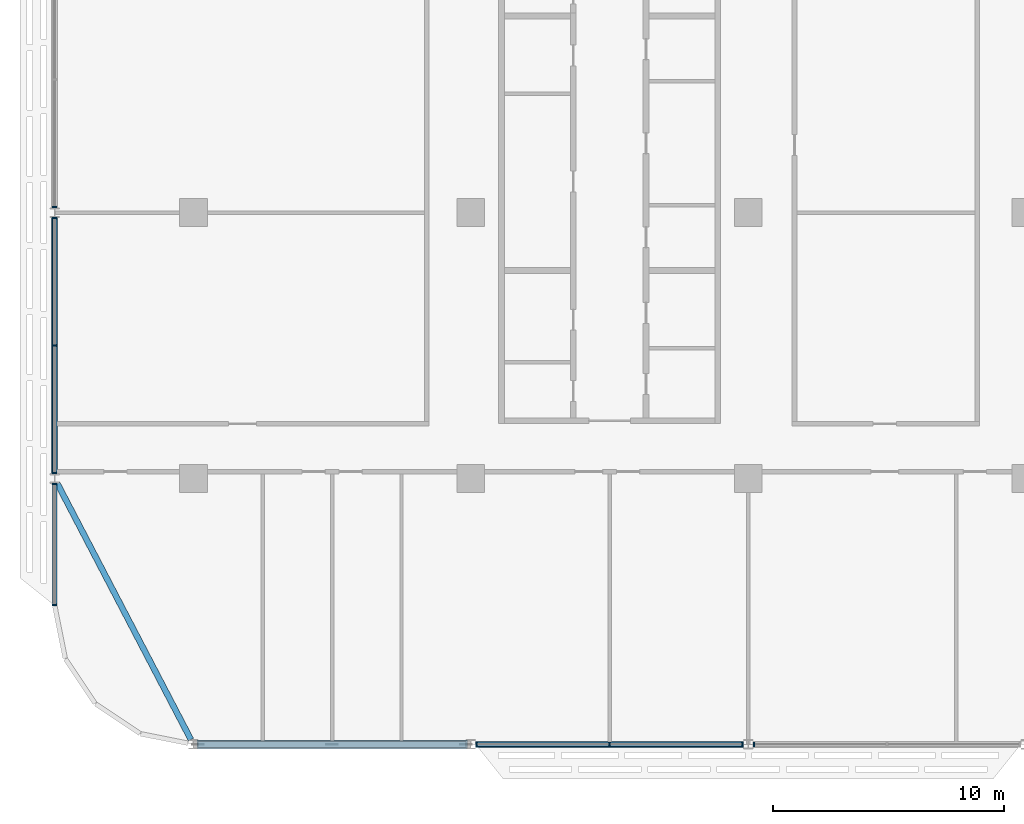
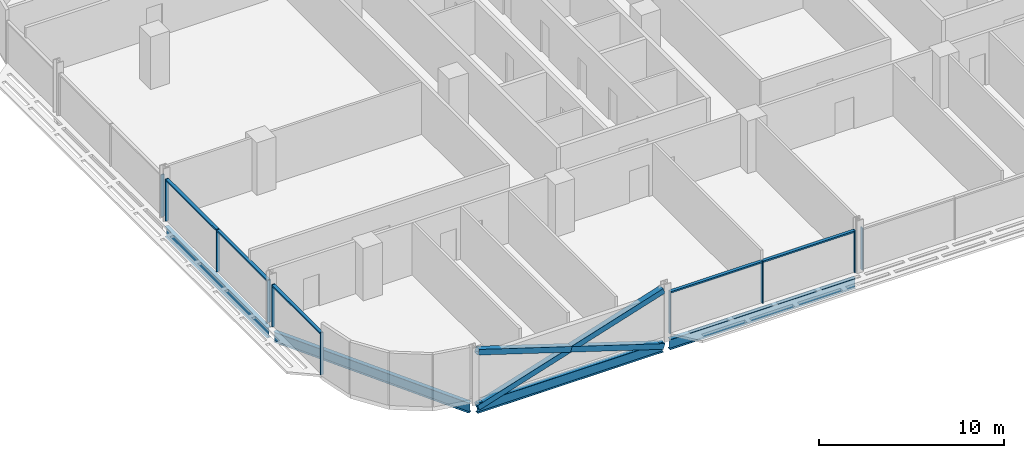
# One storey, part 3 of 27: 18 members, 4 beams, 5 elements without a shape of their own.
"""IFC4 building model written with IfcOpenShell, lengths in metres."""

from ifc_helpers import new_model, si_unit, direction, frame, origin, origin_2d, place, context, subcontext, project, spatial, rectangle, hollow_rectangle, i_section, extrude, material, material_profile, profile_set, type_object, element, aggregate, save


model = new_model("IFC4")

# Units and contexts
model_context = context("Model", 3, precision=1e-05, world=origin(), true_north=direction((0.0, 1.0)))
body_context = subcontext(model_context, "Body", "Model", "MODEL_VIEW")
ifc_project = project(units=[si_unit("LENGTHUNIT", "METRE"), si_unit("AREAUNIT", "SQUARE_METRE"), si_unit("VOLUMEUNIT", "CUBIC_METRE"), si_unit("PLANEANGLEUNIT", "RADIAN"), si_unit("MASSUNIT", "GRAM", prefix="KILO")], contexts=[model_context])

# Site, building, storey
site_placement = place(None, origin())
site = spatial("IfcSite", under=ifc_project, at=site_placement, CompositionType="ELEMENT")
building_placement = place(site_placement, origin())
building = spatial("IfcBuilding", under=site, at=building_placement, Name="Mahtab Terrace Research Tower", CompositionType="ELEMENT")
storey_placement = place(building_placement, frame((0.0, 0.0, 178.199951171875)))
storey = spatial("IfcBuildingStorey", under=building, at=storey_placement, Name="L42", CompositionType="ELEMENT", Elevation=178.199951171875)

# Members
ifc_material_1 = material(Name="Steel ASTM A500 Gr C", Category="steel")
ifc_material_profile_1 = material_profile(ifc_material_1, hollow_rectangle(XDim=0.355712890625, YDim=0.355712890625, WallThickness=0.015869140625, at=origin_2d()), Name="HSS14X14X5/8")
ifc_profile_set_1 = profile_set([ifc_material_profile_1], Name="Steel ASTM A500 Gr C")
member_type_1 = type_object("IfcMemberType", Name="HSS 14x14x5/8 brace XB141458", PredefinedType="BRACE", material=ifc_profile_set_1)
member_1_placement = place(storey_placement, frame((-41.796875, -23.0, -0.61474609375), z_axis=(0.953341454971, 0.0, 0.301894137463), x_axis=(0.0, 1.0, 0.0)))
element("IfcMember", 1, at=member_1_placement, inside=storey, type_object=member_type_1, Name="Exoskeleton brace L42 12 a", PredefinedType="BRACE", context=body_context, shape_type="SweptSolid", body=[
    extrude(hollow_rectangle(XDim=0.355712890625, YDim=0.355712890625, WallThickness=0.015869140625, at=origin_2d()), origin(), (0.0, 0.0, 1.0), 12.1611328125),
])
for number, where, z_axis, x_axis, name in (
    (2, (-30.203125, -23.0, -0.61474609375), (-0.953341454971, 0.0, 0.301894137463), (0.0, -1.0, 0.0), "Exoskeleton brace L42 12 b1"),
    (3, (-36.0, -23.0, 1.220947265625), (-0.953341454971, 0.0, 0.301894137463), (0.0, -1.0, 0.0), "Exoskeleton brace L42 12 b2"),
):
    element("IfcMember", number, at=place(storey_placement, frame(where, z_axis=z_axis, x_axis=x_axis)), inside=storey, type_object=member_type_1, Name=name, PredefinedType="BRACE", context=body_context, shape_type="SweptSolid", body=[
        extrude(hollow_rectangle(XDim=0.355712890625, YDim=0.355712890625, WallThickness=0.015869140625, at=origin_2d()), origin(), (0.0, 0.0, 1.0), 6.08056640625),
    ])

# Curtain wall, member
ifc_material_2 = material(Name="Laboratory ribbon curtain wall")
curtain_wall_type = type_object("IfcCurtainWallType", Name="Laboratory ribbon curtain wall", PredefinedType="NOTDEFINED", material=ifc_material_2)
curtain_wall_1_placement = place(storey_placement, origin())
curtain_wall_1 = element("IfcCurtainWall", 4, at=curtain_wall_1_placement, inside=storey, type_object=curtain_wall_type, Name="EN.L42.8.16", PredefinedType="NOTDEFINED")
ifc_material_3 = material(Name="Natural anodised aluminium", Category="aluminium")
ifc_material_profile_2 = material_profile(ifc_material_3, rectangle(XDim=0.199951171875, YDim=0.06494140625, at=origin_2d()), Name="MULLION 65x200")
ifc_profile_set_2 = profile_set([ifc_material_profile_2], Name="Natural anodised aluminium")
member_type_2 = type_object("IfcMemberType", Name="Laboratory ribbon curtain wall mullion", PredefinedType="MULLION", material=ifc_profile_set_2)
member_2_placement = place(storey_placement, frame((-48.0, 0.240478515625, 0.0), z_axis=(0.0, 0.0, 1.0), x_axis=(1.0, 0.0, 0.0)))
member_2 = element("IfcMember", 5, at=member_2_placement, type_object=member_type_2, Name="CWL-5 mullion 3", PredefinedType="MULLION", context=body_context, shape_type="SweptSolid", body=[
    extrude(rectangle(XDim=0.199951171875, YDim=0.06494140625, at=origin_2d()), origin(), (0.0, 0.0, 1.0), 2.78173828125),
])
aggregate(curtain_wall_1, [member_2])

# Curtain wall, members
curtain_wall_2_placement = place(storey_placement, origin())
curtain_wall_2 = element("IfcCurtainWall", 6, at=curtain_wall_2_placement, inside=storey, type_object=curtain_wall_type, Name="EN.L42.8.17", PredefinedType="NOTDEFINED")
member_3_placement = place(storey_placement, frame((-48.0, -0.240478515625, 0.0), z_axis=(0.0, 0.0, 1.0), x_axis=(1.0, 0.0, 0.0)))
member_3 = element("IfcMember", 7, at=member_3_placement, type_object=member_type_2, Name="CWL-5 mullion 1", PredefinedType="MULLION", context=body_context, shape_type="SweptSolid", body=[
    extrude(rectangle(XDim=0.199951171875, YDim=0.06494140625, at=origin_2d()), origin(), (0.0, 0.0, 1.0), 2.78173828125),
])
member_4_placement = place(storey_placement, frame((-48.0, -5.75, 0.0), z_axis=(0.0, 0.0, 1.0), x_axis=(1.0, 0.0, 0.0)))
member_4 = element("IfcMember", 8, at=member_4_placement, type_object=member_type_2, Name="CWL-5 mullion 2", PredefinedType="MULLION", context=body_context, shape_type="SweptSolid", body=[
    extrude(rectangle(XDim=0.199951171875, YDim=0.06494140625, at=origin_2d()), origin(), (0.0, 0.0, 1.0), 2.78173828125),
])
member_5_placement = place(storey_placement, frame((-48.0, -11.259521484375, 0.0), z_axis=(0.0, 0.0, 1.0), x_axis=(1.0, 0.0, 0.0)))
member_5 = element("IfcMember", 9, at=member_5_placement, type_object=member_type_2, Name="CWL-5 mullion 3", PredefinedType="MULLION", context=body_context, shape_type="SweptSolid", body=[
    extrude(rectangle(XDim=0.199951171875, YDim=0.06494140625, at=origin_2d()), origin(), (0.0, 0.0, 1.0), 2.78173828125),
])

curtain_wall_3_placement = place(storey_placement, origin())
curtain_wall_3 = element("IfcCurtainWall", 10, at=curtain_wall_3_placement, inside=storey, type_object=curtain_wall_type, Name="EN.L42.8.18", PredefinedType="NOTDEFINED")
member_6_placement = place(storey_placement, frame((-48.0, -11.740478515625, 0.0), z_axis=(0.0, 0.0, 1.0), x_axis=(1.0, 0.0, 0.0)))
member_6 = element("IfcMember", 11, at=member_6_placement, type_object=member_type_2, Name="CWL-5 mullion 1", PredefinedType="MULLION", context=body_context, shape_type="SweptSolid", body=[
    extrude(rectangle(XDim=0.199951171875, YDim=0.06494140625, at=origin_2d()), origin(), (0.0, 0.0, 1.0), 2.78173828125),
])
member_7_placement = place(storey_placement, frame((-48.0, -16.967529296875, 0.0), z_axis=(0.0, 0.0, 1.0), x_axis=(1.0, 0.0, 0.0)))
member_7 = element("IfcMember", 12, at=member_7_placement, type_object=member_type_2, Name="CWL-5 mullion 2", PredefinedType="MULLION", context=body_context, shape_type="SweptSolid", body=[
    extrude(rectangle(XDim=0.199951171875, YDim=0.06494140625, at=origin_2d()), origin(), (0.0, 0.0, 1.0), 2.78173828125),
])

curtain_wall_4_placement = place(storey_placement, origin())
curtain_wall_4 = element("IfcCurtainWall", 13, at=curtain_wall_4_placement, inside=storey, type_object=curtain_wall_type, Name="EN.L42.13.24", PredefinedType="NOTDEFINED")
member_8_placement = place(storey_placement, frame((-29.759521484375, -23.0, 0.0), z_axis=(0.0, 0.0, 1.0), x_axis=(0.0, 1.0, 0.0)))
member_8 = element("IfcMember", 14, at=member_8_placement, type_object=member_type_2, Name="CWL-5 mullion 1", PredefinedType="MULLION", context=body_context, shape_type="SweptSolid", body=[
    extrude(rectangle(XDim=0.199951171875, YDim=0.06494140625, at=origin_2d()), origin(), (0.0, 0.0, 1.0), 2.78173828125),
])
member_9_placement = place(storey_placement, frame((-24.0, -23.0, 0.0), z_axis=(0.0, 0.0, 1.0), x_axis=(0.0, 1.0, 0.0)))
member_9 = element("IfcMember", 15, at=member_9_placement, type_object=member_type_2, Name="CWL-5 mullion 2", PredefinedType="MULLION", context=body_context, shape_type="SweptSolid", body=[
    extrude(rectangle(XDim=0.199951171875, YDim=0.06494140625, at=origin_2d()), origin(), (0.0, 0.0, 1.0), 2.78173828125),
])
member_10_placement = place(storey_placement, frame((-18.240478515625, -23.0, 0.0), z_axis=(0.0, 0.0, 1.0), x_axis=(0.0, 1.0, 0.0)))
member_10 = element("IfcMember", 16, at=member_10_placement, type_object=member_type_2, Name="CWL-5 mullion 3", PredefinedType="MULLION", context=body_context, shape_type="SweptSolid", body=[
    extrude(rectangle(XDim=0.199951171875, YDim=0.06494140625, at=origin_2d()), origin(), (0.0, 0.0, 1.0), 2.78173828125),
])

# Curtain wall, member
curtain_wall_5_placement = place(storey_placement, origin())
curtain_wall_5 = element("IfcCurtainWall", 17, at=curtain_wall_5_placement, inside=storey, type_object=curtain_wall_type, Name="EN.L42.13.25", PredefinedType="NOTDEFINED")
member_11_placement = place(storey_placement, frame((-17.759521484375, -23.0, 0.0), z_axis=(0.0, 0.0, 1.0), x_axis=(0.0, 1.0, 0.0)))
member_11 = element("IfcMember", 18, at=member_11_placement, type_object=member_type_2, Name="CWL-5 mullion 1", PredefinedType="MULLION", context=body_context, shape_type="SweptSolid", body=[
    extrude(rectangle(XDim=0.199951171875, YDim=0.06494140625, at=origin_2d()), origin(), (0.0, 0.0, 1.0), 2.78173828125),
])
aggregate(curtain_wall_5, [member_11])

# Member
ifc_material_profile_3 = material_profile(ifc_material_3, rectangle(XDim=0.199951171875, YDim=0.10009765625, at=origin_2d()), Name="TRANSOM 100x200")
ifc_profile_set_3 = profile_set([ifc_material_profile_3], Name="Natural anodised aluminium")
member_type_3 = type_object("IfcMemberType", Name="Laboratory ribbon curtain wall transom", PredefinedType="USERDEFINED", material=ifc_profile_set_3)
member_12_placement = place(storey_placement, frame((-48.0, -0.27294921875, 2.73193359375), z_axis=(0.0, -1.0, 0.0), x_axis=(1.0, 0.0, 0.0)))
member_12 = element("IfcMember", 19, at=member_12_placement, type_object=member_type_3, Name="CWL-5 transom 1", ObjectType="TRANSOM", PredefinedType="USERDEFINED", context=body_context, shape_type="SweptSolid", body=[
    extrude(rectangle(XDim=0.199951171875, YDim=0.10009765625, at=origin_2d()), origin(), (0.0, 0.0, 1.0), 5.444580078125),
])

member_13_placement = place(storey_placement, frame((-48.0, -5.782470703125, 2.73193359375), z_axis=(0.0, -1.0, 0.0), x_axis=(1.0, 0.0, 0.0)))
member_13 = element("IfcMember", 20, at=member_13_placement, type_object=member_type_3, Name="CWL-5 transom 2", ObjectType="TRANSOM", PredefinedType="USERDEFINED", context=body_context, shape_type="SweptSolid", body=[
    extrude(rectangle(XDim=0.199951171875, YDim=0.10009765625, at=origin_2d()), origin(), (0.0, 0.0, 1.0), 5.444580078125),
])

aggregate(curtain_wall_2, [member_3, member_4, member_5, member_12, member_13])

member_14_placement = place(storey_placement, frame((-48.0, -11.77294921875, 2.73193359375), z_axis=(0.0, -1.0, 0.0), x_axis=(1.0, 0.0, 0.0)))
member_14 = element("IfcMember", 21, at=member_14_placement, type_object=member_type_3, Name="CWL-5 transom 1", ObjectType="TRANSOM", PredefinedType="USERDEFINED", context=body_context, shape_type="SweptSolid", body=[
    extrude(rectangle(XDim=0.199951171875, YDim=0.10009765625, at=origin_2d()), origin(), (0.0, 0.0, 1.0), 5.162109375),
])

aggregate(curtain_wall_3, [member_6, member_7, member_14])

member_15_placement = place(storey_placement, frame((-29.72705078125, -23.0, 2.73193359375), z_axis=(1.0, 0.0, 0.0), x_axis=(0.0, 1.0, 0.0)))
member_15 = element("IfcMember", 22, at=member_15_placement, type_object=member_type_3, Name="CWL-5 transom 1", ObjectType="TRANSOM", PredefinedType="USERDEFINED", context=body_context, shape_type="SweptSolid", body=[
    extrude(rectangle(XDim=0.199951171875, YDim=0.10009765625, at=origin_2d()), origin(), (0.0, 0.0, 1.0), 5.694580078125),
])

member_16_placement = place(storey_placement, frame((-23.967529296875, -23.0, 2.73193359375), z_axis=(1.0, 0.0, 0.0), x_axis=(0.0, 1.0, 0.0)))
member_16 = element("IfcMember", 23, at=member_16_placement, type_object=member_type_3, Name="CWL-5 transom 2", ObjectType="TRANSOM", PredefinedType="USERDEFINED", context=body_context, shape_type="SweptSolid", body=[
    extrude(rectangle(XDim=0.199951171875, YDim=0.10009765625, at=origin_2d()), origin(), (0.0, 0.0, 1.0), 5.694580078125),
])

aggregate(curtain_wall_4, [member_8, member_9, member_10, member_15, member_16])

# Beams
ifc_material_4 = material(Name="Steel ASTM A992 Gr 50", Category="steel")
ifc_material_profile_4 = material_profile(ifc_material_4, i_section(OverallWidth=0.25390625, OverallDepth=0.67822265625, WebThickness=0.01171875, FlangeThickness=0.016357421875, at=origin_2d()), Name="W27X84")
ifc_profile_set_4 = profile_set([ifc_material_profile_4], Name="Steel ASTM A992 Gr 50")
beam_type = type_object("IfcBeamType", Name="W27x84 beam BS2784", PredefinedType="BEAM", material=ifc_profile_set_4)
beam_1_placement = place(storey_placement, frame((-48.0, -0.208251953125, -0.678955078125), z_axis=(0.0, -1.0, 0.0), x_axis=(1.0, 0.0, 0.0)))
element("IfcBeam", 24, at=beam_1_placement, inside=storey, type_object=beam_type, Name="Spandrel beam L42 10", PredefinedType="BEAM", context=body_context, shape_type="SweptSolid", body=[
    extrude(i_section(OverallWidth=0.25390625, OverallDepth=0.67822265625, WebThickness=0.01171875, FlangeThickness=0.016357421875, at=origin_2d()), origin(), (0.0, 0.0, 1.0), 11.08349609375),
])
beam_2_placement = place(storey_placement, frame((-47.891357421875, -11.708251953125, -0.678955078125), z_axis=(0.462567341525, -0.886584149731, 0.0), x_axis=(0.886584149731, 0.462567341525, 0.0)))
element("IfcBeam", 25, at=beam_2_placement, inside=storey, type_object=beam_type, Name="Spandrel beam L42 11", PredefinedType="BEAM", context=body_context, shape_type="SweptSolid", body=[
    extrude(i_section(OverallWidth=0.25390625, OverallDepth=0.67822265625, WebThickness=0.01171875, FlangeThickness=0.016357421875, at=origin_2d()), origin(), (0.0, 0.0, 1.0), 12.50146484375),
])
for number, where, z_axis, x_axis, name in (
    (26, (-41.796875, -23.0, -0.678955078125), (1.0, 0.0, 0.0), (0.0, 1.0, 0.0), "Spandrel beam L42 12"),
    (27, (-29.796875, -23.0, -0.678955078125), (1.0, 0.0, 0.0), (0.0, 1.0, 0.0), "Spandrel beam L42 13"),
):
    element("IfcBeam", number, at=place(storey_placement, frame(where, z_axis=z_axis, x_axis=x_axis)), inside=storey, type_object=beam_type, Name=name, PredefinedType="BEAM", context=body_context, shape_type="SweptSolid", body=[
        extrude(i_section(OverallWidth=0.25390625, OverallDepth=0.67822265625, WebThickness=0.01171875, FlangeThickness=0.016357421875, at=origin_2d()), origin(), (0.0, 0.0, 1.0), 11.59375),
    ])

save(model, "model.ifc")
